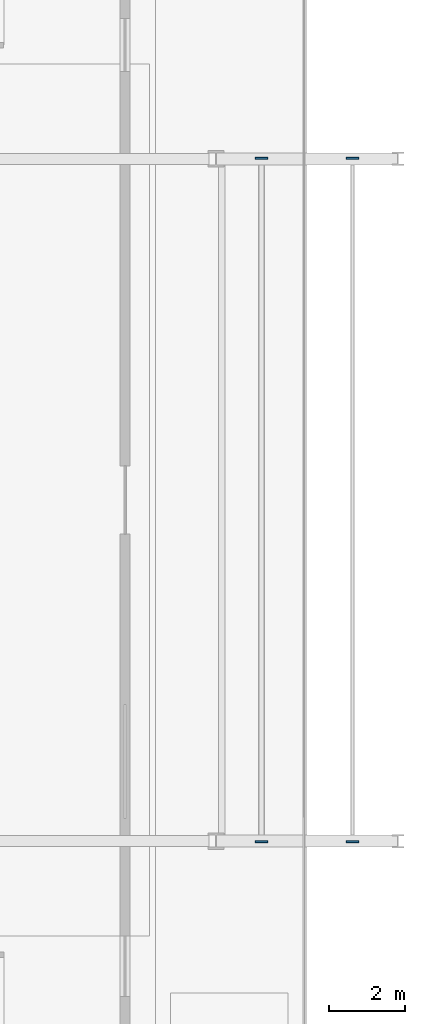
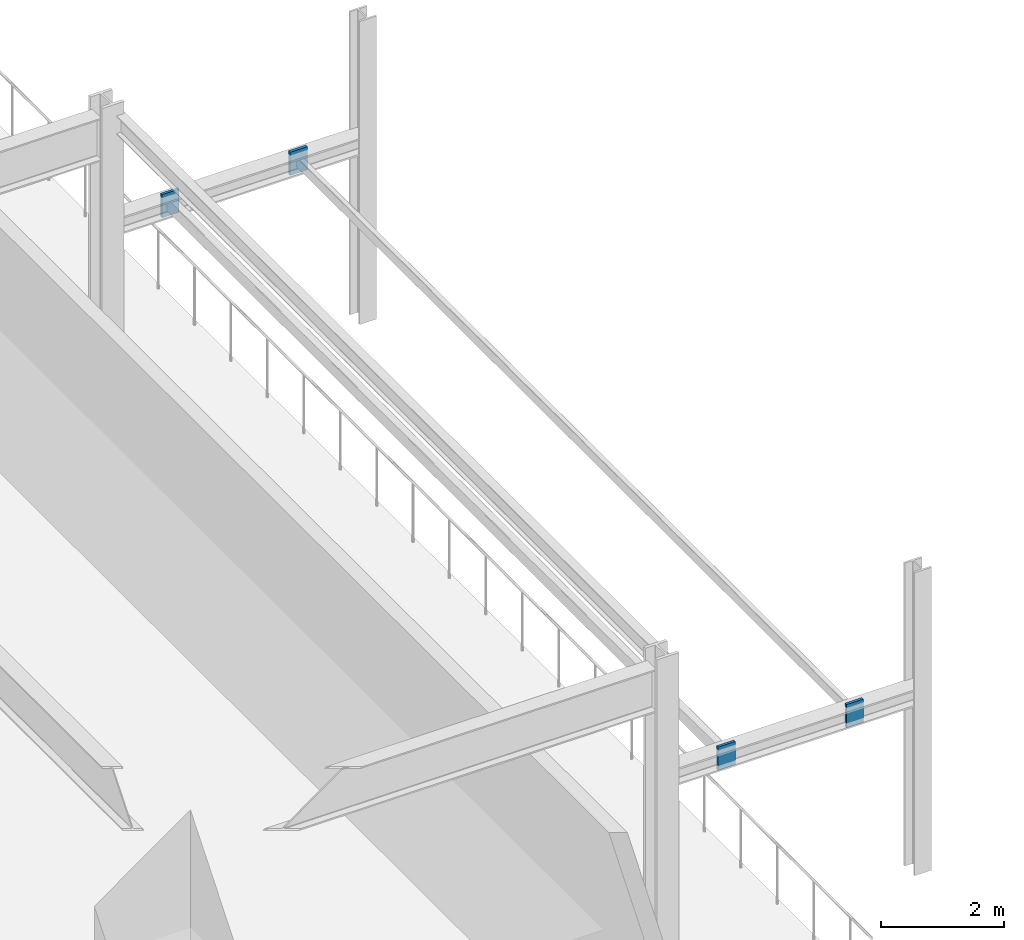
# One storey, part 5 of 14: 4 plates.
"""IFC4 building model written with IfcOpenShell, lengths in metres."""

from ifc_helpers import new_model, si_unit, direction, frame, origin, origin_2d, place, context, subcontext, project, spatial, rectangle, extrude, material, layer, layer_set, type_object, element, save


model = new_model("IFC4")

# Units and contexts
model_context = context("Model", 3, precision=1e-05, world=origin(), true_north=direction((0.0, 1.0)))
body_context = subcontext(model_context, "Body", "Model", "MODEL_VIEW")
ifc_project = project(units=[si_unit("LENGTHUNIT", "METRE"), si_unit("AREAUNIT", "SQUARE_METRE"), si_unit("VOLUMEUNIT", "CUBIC_METRE"), si_unit("PLANEANGLEUNIT", "RADIAN"), si_unit("MASSUNIT", "GRAM", prefix="KILO")], contexts=[model_context])

# Site, building, storey
site_placement = place(None, origin())
site = spatial("IfcSite", under=ifc_project, at=site_placement, CompositionType="ELEMENT")
building_placement = place(site_placement, origin())
building = spatial("IfcBuilding", under=site, at=building_placement, Name="Kovane Verandah Tower", CompositionType="ELEMENT")
storey_placement = place(building_placement, frame((0.0, 0.0, 21.60009765625)))
storey = spatial("IfcBuildingStorey", under=building, at=storey_placement, Name="L04", CompositionType="ELEMENT", Elevation=21.60009765625)

# Plates
ifc_material = material(Name="Steel S460", Category="steel")
ifc_layer = layer(ifc_material, 0.050048828125)
ifc_layer_set = layer_set([ifc_layer], Name="Steel S460")
plate_type = type_object("IfcPlateType", Name="PL-CAP-50", PredefinedType="SHEET", material=ifc_layer_set)
for number, where, z_axis, x_axis, name in (
    (1, (68.800048828125, 18.47998046875, 3.27001953125), (0.0, 0.0, 1.0), (0.0, 1.0, 0.0), "GDN-PUR-E1-L04-P0"),
    (2, (68.800048828125, 36.52001953125, 3.27001953125), (0.0, 0.0, 1.0), (0.0, 1.0, 0.0), "GDN-PUR-E1-L04-P1"),
    (3, (71.199951171875, 18.47998046875, 3.27001953125), (0.0, 0.0, 1.0), (0.0, 1.0, 0.0), "GDN-PUR-E2-L04-P0"),
    (4, (71.199951171875, 36.52001953125, 3.27001953125), (0.0, 0.0, 1.0), (0.0, 1.0, 0.0), "GDN-PUR-E2-L04-P1"),
):
    element("IfcPlate", number, at=place(storey_placement, frame(where, z_axis=z_axis, x_axis=x_axis)), inside=storey, type_object=plate_type, Name=name, PredefinedType="SHEET", context=body_context, shape_type="SweptSolid", body=[
        extrude(rectangle(XDim=0.050048828125, YDim=0.320068359375, at=origin_2d()), origin(), (0.0, 0.0, 1.0), 0.4599609375),
    ])

save(model, "model.ifc")
